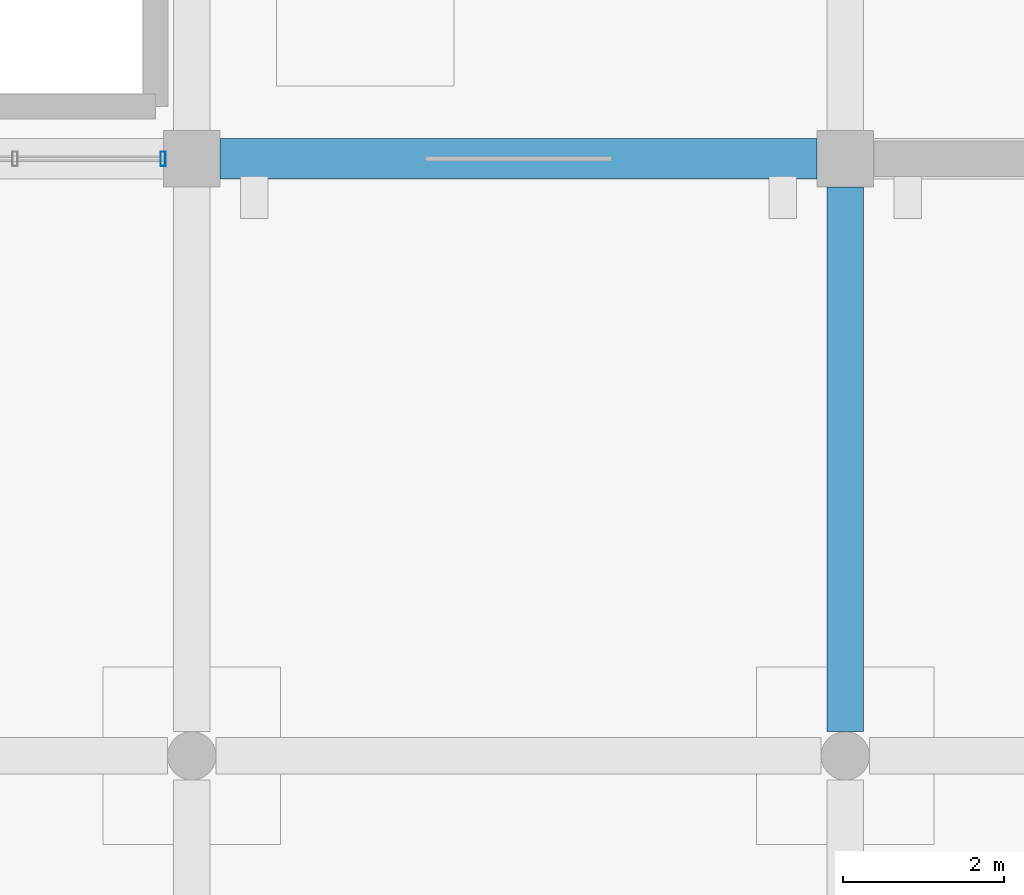
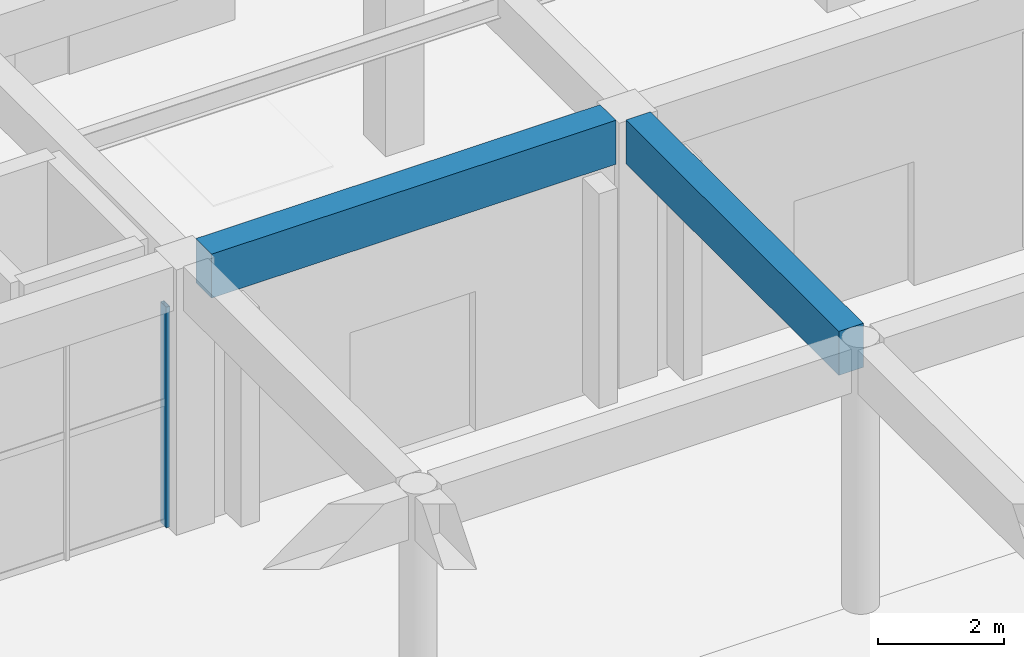
# One storey, part 31 of 140: 2 beams, 1 member, 1 element without a shape of its own.
"""IFC4 building model written with IfcOpenShell, lengths in metres."""

from ifc_helpers import new_model, si_unit, direction, frame, origin, origin_2d, place, context, subcontext, project, spatial, rectangle, hollow_rectangle, extrude, material, material_profile, profile_set, type_object, element, aggregate, save


model = new_model("IFC4")

# Units and contexts
model_context = context("Model", 3, precision=1e-05, world=origin(), true_north=direction((0.0, 1.0)))
body_context = subcontext(model_context, "Body", "Model", "MODEL_VIEW")
ifc_project = project(units=[si_unit("LENGTHUNIT", "METRE"), si_unit("AREAUNIT", "SQUARE_METRE"), si_unit("VOLUMEUNIT", "CUBIC_METRE"), si_unit("PLANEANGLEUNIT", "RADIAN"), si_unit("MASSUNIT", "GRAM", prefix="KILO")], contexts=[model_context])

# Site, building, storey
site_placement = place(None, origin())
site = spatial("IfcSite", under=ifc_project, at=site_placement, CompositionType="ELEMENT")
building_placement = place(site_placement, origin())
building = spatial("IfcBuilding", under=site, at=building_placement, Name="Cimatlan Art Gallery", CompositionType="ELEMENT")
storey_placement = place(building_placement, origin())
storey = spatial("IfcBuildingStorey", under=building, at=storey_placement, Name="L00", CompositionType="ELEMENT", Elevation=0.0)

# Beams
ifc_material_1 = material(Name="Concrete C40/50", Category="concrete")
ifc_material_profile_1 = material_profile(ifc_material_1, rectangle(XDim=0.449951171875, YDim=0.85009765625, at=origin_2d()), Name="RC450X850")
ifc_profile_set_1 = profile_set([ifc_material_profile_1], Name="Concrete C40/50")
beam_type_1 = type_object("IfcBeamType", Name="BM-ARC-450X850", PredefinedType="SPANDREL", material=ifc_profile_set_1)
beam_1_placement = place(storey_placement, frame((91.10009765625, 16.800048828125, 4.735107421875), z_axis=(0.0, 1.0, 0.0), x_axis=(-1.0, 0.0, 0.0)))
element("IfcBeam", 1, at=beam_1_placement, inside=storey, type_object=beam_type_1, Name="BM-ARC-Y-11-02", PredefinedType="SPANDREL", context=body_context, shape_type="SweptSolid", body=[
    extrude(rectangle(XDim=0.449951171875, YDim=0.85009765625, at=origin_2d()), origin(), (0.0, 0.0, 1.0), 6.75),
])
ifc_material_profile_2 = material_profile(ifc_material_1, rectangle(XDim=0.5, YDim=0.85009765625, at=origin_2d()), Name="RC500X850")
ifc_profile_set_2 = profile_set([ifc_material_profile_2], Name="Concrete C40/50")
beam_type_2 = type_object("IfcBeamType", Name="BM-RC-500X850", PredefinedType="BEAM", material=ifc_profile_set_2)
beam_2_placement = place(storey_placement, frame((83.35009765625, 23.89990234375, 4.7099609375), z_axis=(1.0, 0.0, 0.0), x_axis=(0.0, 1.0, 0.0)))
element("IfcBeam", 2, at=beam_2_placement, inside=storey, type_object=beam_type_2, Name="BM-X-L00-10-03", PredefinedType="BEAM", context=body_context, shape_type="SweptSolid", body=[
    extrude(rectangle(XDim=0.5, YDim=0.85009765625, at=origin_2d()), origin(), (0.0, 0.0, 1.0), 7.39990234375),
])

# Curtain wall, member
ifc_material_2 = material(Name="Anodised bronze unitised curtain wall")
curtain_wall_type = type_object("IfcCurtainWallType", Name="CW-V-07342X04270-B4", PredefinedType="NOTDEFINED", material=ifc_material_2)
curtain_wall_placement = place(storey_placement, origin())
curtain_wall = element("IfcCurtainWall", 3, at=curtain_wall_placement, inside=storey, type_object=curtain_wall_type, Name="CW-L00-09-03-S", PredefinedType="NOTDEFINED")
ifc_material_3 = material(Name="Anodised bronze aluminium 6063-T6", Category="aluminium")
ifc_material_profile_3 = material_profile(ifc_material_3, hollow_rectangle(XDim=0.06494140625, YDim=0.179931640625, WallThickness=0.00390625, at=origin_2d()), Name="ALU65X180X4")
ifc_profile_set_3 = profile_set([ifc_material_profile_3], Name="Anodised bronze aluminium 6063-T6")
member_type = type_object("IfcMemberType", Name="CW-MUL-180", PredefinedType="MULLION", material=ifc_profile_set_3)
member_placement = place(storey_placement, frame((82.64599609375, 23.89990234375, 0.0), z_axis=(0.0, 0.0, 1.0), x_axis=(1.0, 0.0, 0.0)))
member = element("IfcMember", 4, at=member_placement, type_object=member_type, Name="CW-L00-09-03-S-M1", PredefinedType="MULLION", context=body_context, shape_type="SweptSolid", body=[
    extrude(hollow_rectangle(XDim=0.06494140625, YDim=0.179931640625, WallThickness=0.00390625, at=origin_2d()), origin(), (0.0, 0.0, 1.0), 4.27001953125),
])
aggregate(curtain_wall, [member])

save(model, "model.ifc")
